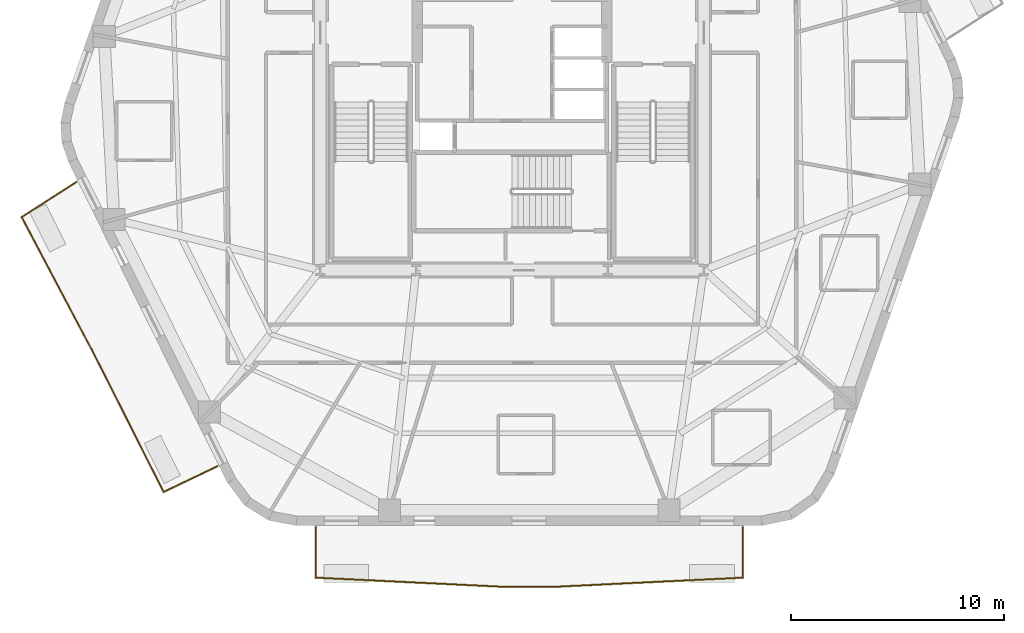
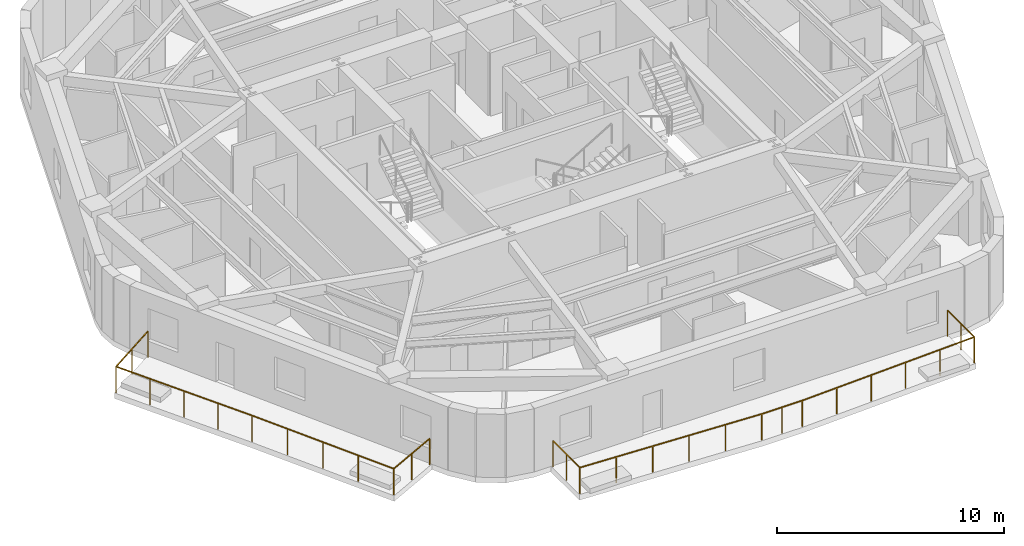
# One storey, part 8 of 10: 2 railings.
"""IFC4 building model written with IfcOpenShell, lengths in metres."""

from ifc_helpers import new_model, si_unit, direction, frame, origin, origin_2d, place, context, subcontext, project, spatial, rectangle, extrude, material, layer, layer_set, type_object, element, save


model = new_model("IFC4")

# Units and contexts
model_context = context("Model", 3, precision=1e-05, world=origin(), true_north=direction((0.0, 1.0)))
body_context = subcontext(model_context, "Body", "Model", "MODEL_VIEW")
ifc_project = project(units=[si_unit("LENGTHUNIT", "METRE"), si_unit("AREAUNIT", "SQUARE_METRE"), si_unit("VOLUMEUNIT", "CUBIC_METRE"), si_unit("PLANEANGLEUNIT", "RADIAN"), si_unit("MASSUNIT", "GRAM", prefix="KILO")], contexts=[model_context])

# Site, building, storey
site_placement = place(None, origin())
site = spatial("IfcSite", under=ifc_project, at=site_placement, CompositionType="ELEMENT")
building_placement = place(site_placement, origin())
building = spatial("IfcBuilding", under=site, at=building_placement, Name="Kilnhurst Terrace Hotel", CompositionType="ELEMENT")
storey_placement = place(building_placement, frame((0.0, 0.0, 186.699951171875)))
storey = spatial("IfcBuildingStorey", under=building, at=storey_placement, Name="L46", CompositionType="ELEMENT", Elevation=186.699951171875)

# Railings
ifc_material = material(Name="Laminated SentryGlas and Stainless Steel AISI 316L Balustrade", Category="steel")
ifc_layer = layer(ifc_material, 0.070068359375, Name="Laminated SentryGlas and Stainless Steel AISI 316L Balustrade")
ifc_layer_set = layer_set([ifc_layer], Name="Laminated SentryGlas and Stainless Steel AISI 316L Balustrade")
railing_type = type_object("IfcRailingType", Name="RLG-BAL-1420", PredefinedType="BALUSTRADE", material=ifc_layer_set)
railing_1_placement = place(storey_placement, frame((-13.83544921875, -16.709716796875, 0.0)))
element("IfcRailing", 1, at=railing_1_placement, inside=storey, type_object=railing_type, Name="L46 Exterior Terrace Guardrail BAL-L2A.1", PredefinedType="BALUSTRADE", context=body_context, shape_type="SweptSolid", body=[
    extrude(rectangle(XDim=0.048095703125, YDim=0.048095703125, at=origin_2d()), frame((0.0, 0.0, 1.39599609375), z_axis=(-0.901469931109, -0.43284173009, 0.0), x_axis=(0.43284173009, -0.901469931109, 0.0)), (0.0, 0.0, 1.0), 2.797119140625),
    extrude(rectangle(XDim=0.048095703125, YDim=0.048095703125, at=origin_2d()), frame((-2.521484375, -1.210693359375, 1.39599609375), z_axis=(-0.450616671131, 0.892717545307, 0.0), x_axis=(-0.892717545307, -0.450616671131, 0.0)), (0.0, 0.0, 1.0), 7.453857421875),
    extrude(rectangle(XDim=0.048095703125, YDim=0.048095703125, at=origin_2d()), frame((-5.88037109375, 5.443603515625, 1.39599609375), z_axis=(-0.4472135955, 0.894427191, 0.0), x_axis=(-0.894427191, -0.4472135955, 0.0)), (0.0, 0.0, 1.0), 0.0009765625),
    extrude(rectangle(XDim=0.048095703125, YDim=0.048095703125, at=origin_2d()), frame((-5.880859375, 5.444580078125, 1.39599609375), z_axis=(-0.46789407085, 0.883784554325, 0.0), x_axis=(-0.883784554325, -0.46789407085, 0.0)), (0.0, 0.0, 1.0), 7.0654296875),
    extrude(rectangle(XDim=0.048095703125, YDim=0.048095703125, at=origin_2d()), frame((-9.186767578125, 11.68896484375, 1.39599609375), z_axis=(0.841139546062, 0.540818143233, 0.0), x_axis=(-0.540818143233, 0.841139546062, 0.0)), (0.0, 0.0, 1.0), 3.056640625),
    extrude(rectangle(XDim=0.0419921875, YDim=0.0419921875, at=origin_2d()), origin(), (0.0, 0.0, 1.0), 1.371826171875),
    extrude(rectangle(XDim=0.0419921875, YDim=0.0419921875, at=origin_2d()), frame((-1.2607421875, -0.60546875, 0.0)), (0.0, 0.0, 1.0), 1.371826171875),
    extrude(rectangle(XDim=0.0419921875, YDim=0.0419921875, at=origin_2d()), frame((-2.521484375, -1.210693359375, 0.0)), (0.0, 0.0, 1.0), 1.371826171875),
    extrude(rectangle(XDim=0.0419921875, YDim=0.0419921875, at=origin_2d()), frame((-3.361328125, 0.452880859375, 0.0)), (0.0, 0.0, 1.0), 1.371826171875),
    extrude(rectangle(XDim=0.0419921875, YDim=0.0419921875, at=origin_2d()), frame((-4.200927734375, 2.116455078125, 0.0)), (0.0, 0.0, 1.0), 1.371826171875),
    extrude(rectangle(XDim=0.0419921875, YDim=0.0419921875, at=origin_2d()), frame((-5.04052734375, 3.780029296875, 0.0)), (0.0, 0.0, 1.0), 1.371826171875),
    extrude(rectangle(XDim=0.0419921875, YDim=0.0419921875, at=origin_2d()), frame((-5.88037109375, 5.443603515625, 0.0)), (0.0, 0.0, 1.0), 1.371826171875),
    extrude(rectangle(XDim=0.0419921875, YDim=0.0419921875, at=origin_2d()), frame((-5.880859375, 5.444580078125, 0.0)), (0.0, 0.0, 1.0), 1.371826171875),
    extrude(rectangle(XDim=0.0419921875, YDim=0.0419921875, at=origin_2d()), frame((-6.707275390625, 7.005615234375, 0.0)), (0.0, 0.0, 1.0), 1.371826171875),
    extrude(rectangle(XDim=0.0419921875, YDim=0.0419921875, at=origin_2d()), frame((-7.53369140625, 8.56689453125, 0.0)), (0.0, 0.0, 1.0), 1.371826171875),
    extrude(rectangle(XDim=0.0419921875, YDim=0.0419921875, at=origin_2d()), frame((-8.3603515625, 10.1279296875, 0.0)), (0.0, 0.0, 1.0), 1.371826171875),
    extrude(rectangle(XDim=0.0419921875, YDim=0.0419921875, at=origin_2d()), frame((-9.186767578125, 11.68896484375, 0.0)), (0.0, 0.0, 1.0), 1.371826171875),
    extrude(rectangle(XDim=0.0419921875, YDim=0.0419921875, at=origin_2d()), frame((-7.9013671875, 12.515625, 0.0)), (0.0, 0.0, 1.0), 1.371826171875),
    extrude(rectangle(XDim=0.0419921875, YDim=0.0419921875, at=origin_2d()), frame((-6.61572265625, 13.342041015625, 0.0)), (0.0, 0.0, 1.0), 1.371826171875),
])
railing_2_placement = place(storey_placement, frame((10.83349609375, -19.580078125, 0.0)))
element("IfcRailing", 2, at=railing_2_placement, inside=storey, type_object=railing_type, Name="L46 Exterior Terrace Guardrail BAL-L2B.1", PredefinedType="BALUSTRADE", context=body_context, shape_type="SweptSolid", body=[
    extrude(rectangle(XDim=0.048095703125, YDim=0.048095703125, at=origin_2d()), frame((0.0, 0.0, 1.39599609375), z_axis=(0.0, -1.0, 0.0), x_axis=(1.0, 0.0, 0.0)), (0.0, 0.0, 1.0), 2.36279296875),
    extrude(rectangle(XDim=0.048095703125, YDim=0.048095703125, at=origin_2d()), frame((0.0, -2.36279296875, 1.39599609375), z_axis=(-0.998822813861, -0.048507592295, 0.0), x_axis=(0.048507592295, -0.998822813861, 0.0)), (0.0, 0.0, 1.0), 9.009033203125),
    extrude(rectangle(XDim=0.048095703125, YDim=0.048095703125, at=origin_2d()), frame((-8.99853515625, -2.7998046875, 1.39599609375), z_axis=(-1.0, 0.0, 0.0), x_axis=(0.0, -1.0, 0.0)), (0.0, 0.0, 1.0), 2.0556640625),
    extrude(rectangle(XDim=0.048095703125, YDim=0.048095703125, at=origin_2d()), frame((-11.05419921875, -2.7998046875, 1.39599609375), z_axis=(-0.998822813861, 0.048507592295, 0.0), x_axis=(-0.048507592295, -0.998822813861, 0.0)), (0.0, 0.0, 1.0), 9.009033203125),
    extrude(rectangle(XDim=0.048095703125, YDim=0.048095703125, at=origin_2d()), frame((-20.052734375, -2.36279296875, 1.39599609375), z_axis=(0.0, 1.0, 0.0), x_axis=(-1.0, 0.0, 0.0)), (0.0, 0.0, 1.0), 2.36279296875),
    extrude(rectangle(XDim=0.0419921875, YDim=0.0419921875, at=origin_2d()), origin(), (0.0, 0.0, 1.0), 1.371826171875),
    extrude(rectangle(XDim=0.0419921875, YDim=0.0419921875, at=origin_2d()), frame((0.0, -1.181396484375, 0.0)), (0.0, 0.0, 1.0), 1.371826171875),
    extrude(rectangle(XDim=0.0419921875, YDim=0.0419921875, at=origin_2d()), frame((0.0, -2.36279296875, 0.0)), (0.0, 0.0, 1.0), 1.371826171875),
    extrude(rectangle(XDim=0.0419921875, YDim=0.0419921875, at=origin_2d()), frame((-1.7998046875, -2.4501953125, 0.0)), (0.0, 0.0, 1.0), 1.371826171875),
    extrude(rectangle(XDim=0.0419921875, YDim=0.0419921875, at=origin_2d()), frame((-3.599365234375, -2.53759765625, 0.0)), (0.0, 0.0, 1.0), 1.371826171875),
    extrude(rectangle(XDim=0.0419921875, YDim=0.0419921875, at=origin_2d()), frame((-5.399169921875, -2.625, 0.0)), (0.0, 0.0, 1.0), 1.371826171875),
    extrude(rectangle(XDim=0.0419921875, YDim=0.0419921875, at=origin_2d()), frame((-7.19873046875, -2.71240234375, 0.0)), (0.0, 0.0, 1.0), 1.371826171875),
    extrude(rectangle(XDim=0.0419921875, YDim=0.0419921875, at=origin_2d()), frame((-8.99853515625, -2.7998046875, 0.0)), (0.0, 0.0, 1.0), 1.371826171875),
    extrude(rectangle(XDim=0.0419921875, YDim=0.0419921875, at=origin_2d()), frame((-10.0263671875, -2.7998046875, 0.0)), (0.0, 0.0, 1.0), 1.371826171875),
    extrude(rectangle(XDim=0.0419921875, YDim=0.0419921875, at=origin_2d()), frame((-11.05419921875, -2.7998046875, 0.0)), (0.0, 0.0, 1.0), 1.371826171875),
    extrude(rectangle(XDim=0.0419921875, YDim=0.0419921875, at=origin_2d()), frame((-12.85400390625, -2.71240234375, 0.0)), (0.0, 0.0, 1.0), 1.371826171875),
    extrude(rectangle(XDim=0.0419921875, YDim=0.0419921875, at=origin_2d()), frame((-14.653564453125, -2.625, 0.0)), (0.0, 0.0, 1.0), 1.371826171875),
    extrude(rectangle(XDim=0.0419921875, YDim=0.0419921875, at=origin_2d()), frame((-16.453369140625, -2.53759765625, 0.0)), (0.0, 0.0, 1.0), 1.371826171875),
    extrude(rectangle(XDim=0.0419921875, YDim=0.0419921875, at=origin_2d()), frame((-18.2529296875, -2.4501953125, 0.0)), (0.0, 0.0, 1.0), 1.371826171875),
    extrude(rectangle(XDim=0.0419921875, YDim=0.0419921875, at=origin_2d()), frame((-20.052734375, -2.36279296875, 0.0)), (0.0, 0.0, 1.0), 1.371826171875),
    extrude(rectangle(XDim=0.0419921875, YDim=0.0419921875, at=origin_2d()), frame((-20.052734375, -1.181396484375, 0.0)), (0.0, 0.0, 1.0), 1.371826171875),
    extrude(rectangle(XDim=0.0419921875, YDim=0.0419921875, at=origin_2d()), frame((-20.052734375, 0.0, 0.0)), (0.0, 0.0, 1.0), 1.371826171875),
])

save(model, "model.ifc")
